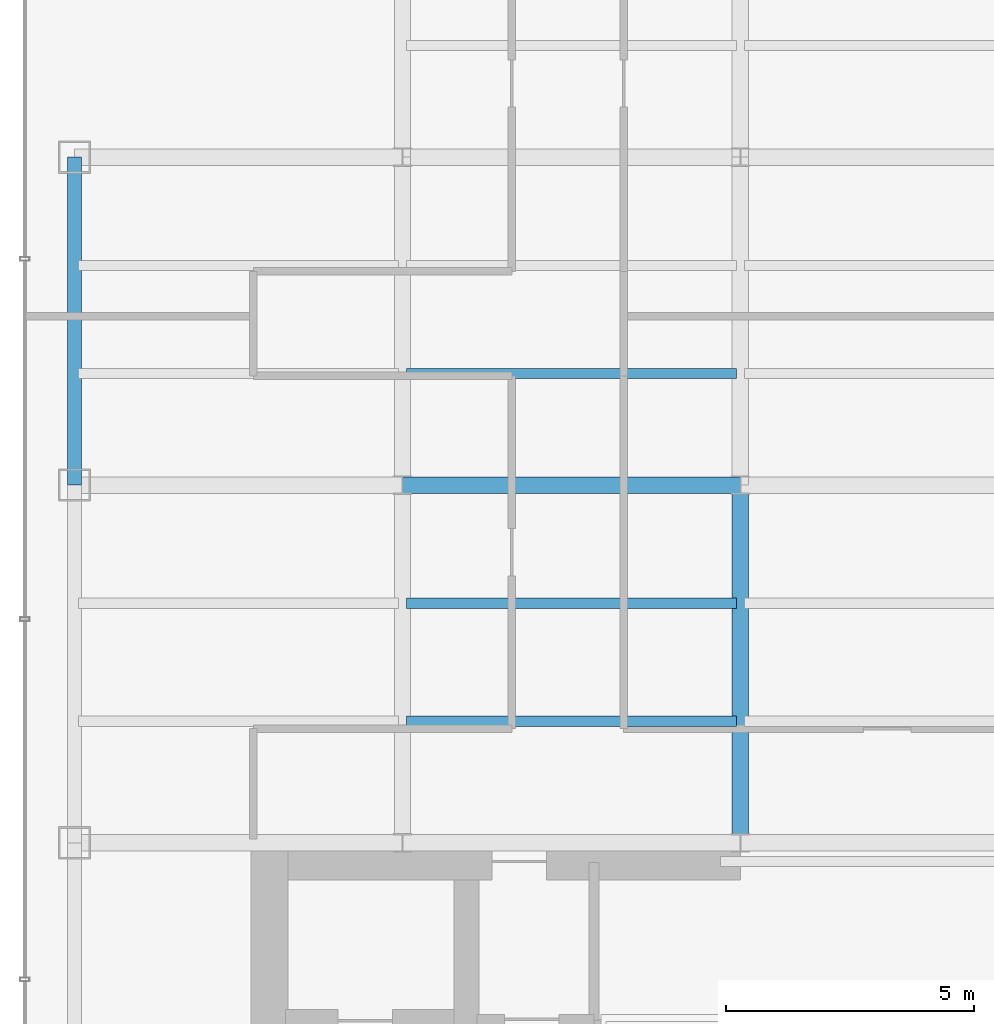
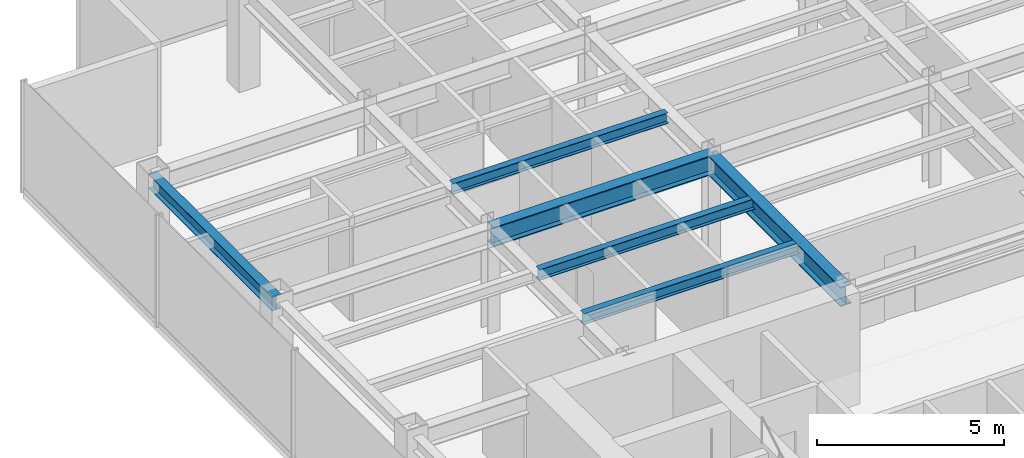
# One storey, part 6 of 23: 6 beams.
"""IFC4 building model written with IfcOpenShell, lengths in metres."""

from ifc_helpers import new_model, si_unit, derived_unit, direction, frame, origin, origin_2d, place, context, subcontext, project, spatial, i_section, extrude, source, transform, mapped, material, material_profile, profile_set, type_object, element, save


model = new_model("IFC4")

# Units and contexts
model_context = context("Model", 3, precision=1e-05, world=origin(), true_north=direction((0.0, 1.0)))
body_context = subcontext(model_context, "Body", "Model", "MODEL_VIEW")
ifc_project = project(units=[si_unit("LENGTHUNIT", "METRE"), si_unit("AREAUNIT", "SQUARE_METRE"), si_unit("VOLUMEUNIT", "CUBIC_METRE"), si_unit("PLANEANGLEUNIT", "RADIAN"), si_unit("MASSUNIT", "GRAM", prefix="KILO"), derived_unit("THERMALTRANSMITTANCEUNIT", [(si_unit("POWERUNIT", "WATT"), 1), (si_unit("LENGTHUNIT", "METRE"), -2), (si_unit("THERMODYNAMICTEMPERATUREUNIT", "KELVIN"), -1)])], contexts=[model_context])

# Site, building, storey
site_placement = place(None, origin())
site = spatial("IfcSite", under=ifc_project, at=site_placement, CompositionType="ELEMENT")
building_placement = place(site_placement, origin())
building = spatial("IfcBuilding", under=site, at=building_placement, Name="Skarnbrae Concourse Arena and Tower", CompositionType="ELEMENT")
storey_placement = place(building_placement, frame((0.0, 0.0, 140.60009765625)))
storey = spatial("IfcBuildingStorey", under=building, at=storey_placement, Name="L35", CompositionType="ELEMENT", Elevation=140.60009765625)

# Beams
ifc_material = material(Name="Steel CSA G40.21 350W", Category="steel")
ifc_material_profile_1 = material_profile(ifc_material, i_section(OverallWidth=0.3291015625, OverallDepth=0.635009765625, WebThickness=0.017822265625, FlangeThickness=0.031005859375, at=origin_2d()), Name="W610X241")
ifc_profile_set_1 = profile_set([ifc_material_profile_1], Name="Steel CSA G40.21 350W")
beam_type_1 = type_object("IfcBeamType", Name="BM-GIRD-W610X241", PredefinedType="BEAM", material=ifc_profile_set_1)
shared_shape_1 = source(origin(), body_context, "Body", "SweptSolid", [
    extrude(i_section(OverallWidth=0.3291015625, OverallDepth=0.635009765625, WebThickness=0.017822265625, FlangeThickness=0.031005859375, at=origin_2d()), origin(), (0.0, 0.0, 1.0), 6.7998046875),
])
beam_1_placement = place(storey_placement, frame((7.60009765625, 21.199951171875, 3.08251953125), z_axis=(1.0, 0.0, 0.0), x_axis=(0.0, 1.0, 0.0)))
element("IfcBeam", 1, at=beam_1_placement, inside=storey, type_object=beam_type_1, Name="L35 Primary E-W girder Y21.2-2", PredefinedType="BEAM", context=body_context, shape_type="MappedRepresentation", body=[
    mapped(shared_shape_1, transform((0.0, 0.0, 0.0))),
])
ifc_material_profile_2 = material_profile(ifc_material, i_section(OverallWidth=0.280029296875, OverallDepth=0.462890625, WebThickness=0.0107421875, FlangeThickness=0.017333984375, at=origin_2d()), Name="W460X113")
ifc_profile_set_2 = profile_set([ifc_material_profile_2], Name="Steel CSA G40.21 350W")
beam_type_2 = type_object("IfcBeamType", Name="BM-SPAN-W460X113", PredefinedType="SPANDREL", material=ifc_profile_set_2)
shared_shape_2 = source(origin(), body_context, "Body", "SweptSolid", [
    extrude(i_section(OverallWidth=0.280029296875, OverallDepth=0.462890625, WebThickness=0.0107421875, FlangeThickness=0.017333984375, at=origin_2d()), origin(), (0.0, 0.0, 1.0), 6.60009765625),
])
beam_2_placement = place(storey_placement, frame((1.0, 21.199951171875, 3.16845703125), z_axis=(0.0, 1.0, 0.0), x_axis=(-1.0, 0.0, 0.0)))
element("IfcBeam", 2, at=beam_2_placement, inside=storey, type_object=beam_type_2, Name="L35 Perimeter spandrel X1.0-3", PredefinedType="SPANDREL", context=body_context, shape_type="MappedRepresentation", body=[
    mapped(shared_shape_2, transform((0.0, 0.0, 0.0))),
])
shared_shape_3 = source(origin(), body_context, "Body", "SweptSolid", [
    extrude(i_section(OverallWidth=0.3291015625, OverallDepth=0.635009765625, WebThickness=0.017822265625, FlangeThickness=0.031005859375, at=origin_2d()), origin(), (0.0, 0.0, 1.0), 7.199951171875),
])
beam_3_placement = place(storey_placement, frame((14.39990234375, 14.0, 3.08251953125), z_axis=(0.0, 1.0, 0.0), x_axis=(-1.0, 0.0, 0.0)))
element("IfcBeam", 3, at=beam_3_placement, inside=storey, type_object=beam_type_1, Name="L35 Primary N-S girder X14.4-1", PredefinedType="BEAM", context=body_context, shape_type="MappedRepresentation", body=[
    mapped(shared_shape_3, transform((0.0, 0.0, 0.0))),
])
ifc_material_profile_3 = material_profile(ifc_material, i_section(OverallWidth=0.205078125, OverallDepth=0.35400390625, WebThickness=0.009521484375, FlangeThickness=0.016845703125, at=origin_2d()), Name="W360X79")
ifc_profile_set_3 = profile_set([ifc_material_profile_3], Name="Steel CSA G40.21 350W")
beam_type_3 = type_object("IfcBeamType", Name="BM-JOIST-W360X79", PredefinedType="JOIST", material=ifc_profile_set_3)
shared_shape_4 = source(origin(), body_context, "Body", "SweptSolid", [
    extrude(i_section(OverallWidth=0.205078125, OverallDepth=0.35400390625, WebThickness=0.009521484375, FlangeThickness=0.016845703125, at=origin_2d()), origin(), (0.0, 0.0, 1.0), 6.64013671875),
])
for number, where, z_axis, x_axis, name in (
    (4, (7.679931640625, 16.447998046875, 3.222900390625), (1.0, 0.0, 0.0), (0.0, 1.0, 0.0), "L35 Secondary floor joist 1.1.2"),
    (5, (7.679931640625, 18.823974609375, 3.222900390625), (1.0, 0.0, 0.0), (0.0, 1.0, 0.0), "L35 Secondary floor joist 1.2.2"),
    (6, (7.679931640625, 23.444091796875, 3.222900390625), (1.0, 0.0, 0.0), (0.0, 1.0, 0.0), "L35 Secondary floor joist 2.1.2"),
):
    element("IfcBeam", number, at=place(storey_placement, frame(where, z_axis=z_axis, x_axis=x_axis)), inside=storey, type_object=beam_type_3, Name=name, PredefinedType="JOIST", context=body_context, shape_type="MappedRepresentation", body=[
        mapped(shared_shape_4, transform((0.0, 0.0, 0.0))),
    ])

save(model, "model.ifc")
